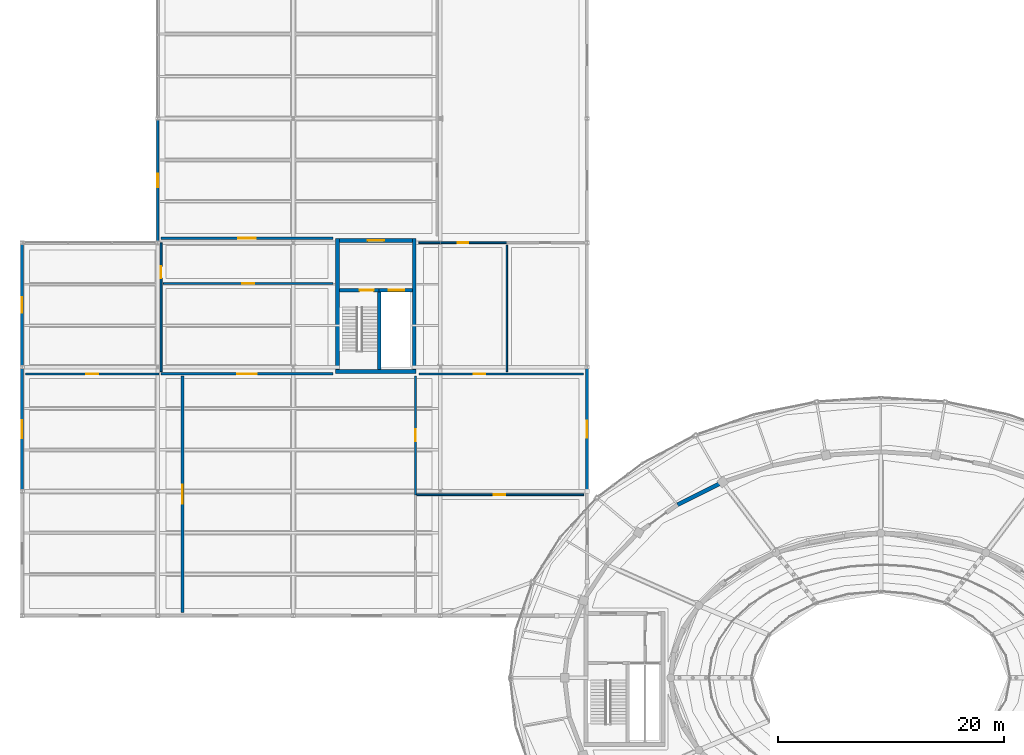
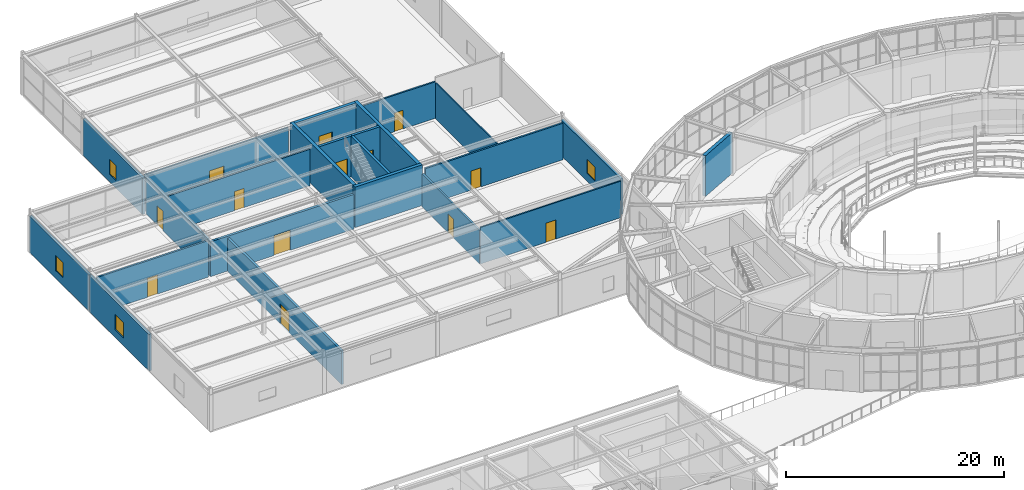
# One storey, part 91 of 108: 23 walls, 13 doors, 4 windows, 17 openings.
"""IFC4 building model written with IfcOpenShell, lengths in metres."""

from ifc_helpers import new_model, si_unit, direction, frame, frame_2d, origin, place, context, subcontext, project, spatial, rectangle, extrude, material, layer, layer_set, type_object, element, fill, save


model = new_model("IFC4")

# Units and contexts
model_context = context("Model", 3, precision=1e-05, world=origin(), true_north=direction((0.0, 1.0)))
body_context = subcontext(model_context, "Body", "Model", "MODEL_VIEW")
ifc_project = project(units=[si_unit("LENGTHUNIT", "METRE"), si_unit("AREAUNIT", "SQUARE_METRE"), si_unit("VOLUMEUNIT", "CUBIC_METRE"), si_unit("PLANEANGLEUNIT", "RADIAN"), si_unit("MASSUNIT", "GRAM", prefix="KILO")], contexts=[model_context])

# Site, building, storey
site_placement = place(None, origin())
site = spatial("IfcSite", under=ifc_project, at=site_placement, CompositionType="ELEMENT")
building_placement = place(site_placement, origin())
building = spatial("IfcBuilding", under=site, at=building_placement, Name="Tarnveldt Headland Concert Hall", CompositionType="ELEMENT")
storey_placement = place(building_placement, frame((0.0, 0.0, 9.60009765625)))
storey = spatial("IfcBuildingStorey", under=building, at=storey_placement, Name="L02", CompositionType="ELEMENT", Elevation=9.60009765625)

# Walls
ifc_material_1 = material(Name="Concrete C40/50", Category="concrete")
ifc_layer_1 = layer(ifc_material_1, 0.35009765625, Name="Concrete C40/50", Category="concrete")
ifc_layer_set_1 = layer_set([ifc_layer_1], Name="Concrete C40/50")
wall_type_1 = type_object("IfcWallType", Name="WL-CR350", PredefinedType="SHEAR", material=ifc_layer_set_1)
wall_1_placement = place(storey_placement, frame((69.5, 71.820556640625, 0.0), z_axis=(0.0, 0.0, 1.0), x_axis=(-0.894361644392, -0.447344664705, 0.0)))
element("IfcWall", 1, at=wall_1_placement, inside=storey, type_object=wall_type_1, Name="Symphony drum shear wall L02-13", PredefinedType="SHEAR", context=body_context, shape_type="SweptSolid", body=[
    extrude(rectangle(XDim=4.47021484375, YDim=0.35009765625, at=frame_2d((2.235107421875, 0.0))), origin(), (0.0, 0.0, 1.0), 4.5498046875),
])
wall_2_placement = place(storey_placement, frame((35.22509765625, 81.60009765625, 0.0), z_axis=(0.0, 0.0, 1.0), x_axis=(1.0, 0.0, 0.0)))
element("IfcWall", 2, at=wall_2_placement, inside=storey, type_object=wall_type_1, Name="Core C6 south shear wall L02", PredefinedType="SHEAR", context=body_context, shape_type="SweptSolid", body=[
    extrude(rectangle(XDim=7.14990234375, YDim=0.35009765625, at=frame_2d((3.574951171875, 0.0))), origin(), (0.0, 0.0, 1.0), 4.5498046875),
])

# Wall, opening, door
wall_3_placement = place(storey_placement, frame((35.574951171875, 93.199951171875, 0.0), z_axis=(0.0, 0.0, 1.0), x_axis=(1.0, 0.0, 0.0)))
wall_3 = element("IfcWall", 3, at=wall_3_placement, inside=storey, type_object=wall_type_1, Name="Core C6 north shear wall L02", PredefinedType="SHEAR", context=body_context, shape_type="SweptSolid", body=[
    extrude(rectangle(XDim=6.449951171875, YDim=0.35009765625, at=frame_2d((3.22509765625, 0.0))), origin(), (0.0, 0.0, 1.0), 4.5498046875),
])
opening_1_placement = place(wall_3_placement, frame((2.5, 0.0, 0.0)))
opening_1 = element("IfcOpeningElement", 4, at=opening_1_placement, cuts=wall_3, Name="Opening LBD-C6-L02", PredefinedType="OPENING", context=body_context, shape_type="SweptSolid", body=[
    extrude(rectangle(XDim=1.449951171875, YDim=2.199951171875, at=frame_2d((0.72509765625, 1.10009765625))), frame((0.0, 0.18505859375, 0.0), z_axis=(0.0, -1.0, 0.0), x_axis=(1.0, 0.0, 0.0)), (0.0, 0.0, 1.0), 0.3701171875),
])
ifc_material_2 = material(Name="Galvanised painted steel sheet", Category="steel")
door_type_1 = type_object("IfcDoorType", Name="DR-LB145", OperationType="NOTDEFINED", PredefinedType="DOOR", material=ifc_material_2)
door_1_placement = place(opening_1_placement, origin())
door_1 = element("IfcDoor", 5, at=door_1_placement, inside=storey, type_object=door_type_1, Name="Core C6 lobby entrance door L02", OperationType="SINGLE_SWING_LEFT", OverallHeight=2.199951171875, OverallWidth=1.449951171875, PredefinedType="DOOR", context=body_context, shape_type="SweptSolid", body=[
    extrude(rectangle(XDim=1.449951171875, YDim=2.199951171875, at=frame_2d((0.72509765625, 1.10009765625))), frame((0.0, 0.02490234375, 0.0), z_axis=(0.0, -1.0, 0.0), x_axis=(1.0, 0.0, 0.0)), (0.0, 0.0, 1.0), 0.050048828125),
])
fill(opening_1, door_1)

# Walls
for number, where, z_axis, x_axis, name in (
    (6, (35.39990234375, 81.77490234375, 0.0), (0.0, 0.0, 1.0), (0.0, 1.0, 0.0), "Core C6 west shear wall L02"),
    (7, (42.199951171875, 81.77490234375, 0.0), (0.0, 0.0, 1.0), (0.0, 1.0, 0.0), "Core C6 east shear wall L02"),
):
    element("IfcWall", number, at=place(storey_placement, frame(where, z_axis=z_axis, x_axis=x_axis)), inside=storey, type_object=wall_type_1, Name=name, PredefinedType="SHEAR", context=body_context, shape_type="SweptSolid", body=[
        extrude(rectangle(XDim=11.60009765625, YDim=0.35009765625, at=frame_2d((5.800048828125, 0.0))), origin(), (0.0, 0.0, 1.0), 4.5498046875),
    ])

# Wall, opening, window
ifc_material_3 = material(Name="Coral-toned precast concrete C40/50", Category="concrete")
ifc_layer_2 = layer(ifc_material_3, 0.25, Name="Coral-toned precast concrete C40/50", Category="concrete")
ifc_layer_set_2 = layer_set([ifc_layer_2], Name="Coral-toned precast concrete C40/50")
wall_type_2 = type_object("IfcWallType", Name="WL-EX250", PredefinedType="SOLIDWALL", material=ifc_layer_set_2)
wall_4_placement = place(storey_placement, frame((57.5, 81.97998046875, 0.0), z_axis=(0.0, 0.0, 1.0), x_axis=(0.0, -1.0, 0.0)))
wall_4 = element("IfcWall", 8, at=wall_4_placement, inside=storey, type_object=wall_type_2, Name="External precast wall L02-301", PredefinedType="SOLIDWALL", context=body_context, shape_type="SweptSolid", body=[
    extrude(rectangle(XDim=10.9599609375, YDim=0.25, at=frame_2d((5.47998046875, 0.0))), origin(), (0.0, 0.0, 1.0), 4.02783203125),
])
opening_2_placement = place(wall_4_placement, frame((4.72998046875, 0.0, 0.89990234375)))
opening_2 = element("IfcOpeningElement", 9, at=opening_2_placement, cuts=wall_4, Name="Opening W-R136", PredefinedType="OPENING", context=body_context, shape_type="SweptSolid", body=[
    extrude(rectangle(XDim=1.5, YDim=1.550048828125, at=frame_2d((0.75, 0.77490234375))), frame((0.0, 0.135009765625, 0.0), z_axis=(0.0, -1.0, 0.0), x_axis=(1.0, 0.0, 0.0)), (0.0, 0.0, 1.0), 0.27001953125),
])
ifc_material_4 = material(Name="Acoustic laminated low-iron double glazing", Category="glass")
window_type_1 = type_object("IfcWindowType", Name="WN-03", PartitioningType="SINGLE_PANEL", PredefinedType="WINDOW", material=ifc_material_4)
window_1_placement = place(opening_2_placement, origin())
window_1 = element("IfcWindow", 10, at=window_1_placement, inside=storey, type_object=window_type_1, Name="Rehearsal wing acoustic window L02-E2", OverallHeight=1.550048828125, OverallWidth=1.5, PartitioningType="SINGLE_PANEL", PredefinedType="WINDOW", context=body_context, shape_type="SweptSolid", body=[
    extrude(rectangle(XDim=1.5, YDim=1.550048828125, at=frame_2d((0.75, 0.77490234375))), frame((0.0, 0.030029296875, 0.0), z_axis=(0.0, -1.0, 0.0), x_axis=(1.0, 0.0, 0.0)), (0.0, 0.0, 1.0), 0.06005859375),
])
fill(opening_2, window_1)

wall_5_placement = place(storey_placement, frame((19.5, 93.02001953125, 0.0), z_axis=(0.0, 0.0, 1.0), x_axis=(0.0, 1.0, 0.0)))
wall_5 = element("IfcWall", 11, at=wall_5_placement, inside=storey, type_object=wall_type_2, Name="External precast wall L02-308", PredefinedType="SOLIDWALL", context=body_context, shape_type="SweptSolid", body=[
    extrude(rectangle(XDim=10.9599609375, YDim=0.25, at=frame_2d((5.47998046875, 0.0))), origin(), (0.0, 0.0, 1.0), 4.087890625),
])
opening_3_placement = place(wall_5_placement, frame((4.8798828125, 0.0, 0.85009765625)))
opening_3 = element("IfcOpeningElement", 12, at=opening_3_placement, cuts=wall_5, Name="Opening W-R142", PredefinedType="OPENING", context=body_context, shape_type="SweptSolid", body=[
    extrude(rectangle(XDim=1.199951171875, YDim=1.699951171875, at=frame_2d((0.60009765625, 0.85009765625))), frame((0.0, 0.135009765625, 0.0), z_axis=(0.0, -1.0, 0.0), x_axis=(1.0, 0.0, 0.0)), (0.0, 0.0, 1.0), 0.27001953125),
])
window_type_2 = type_object("IfcWindowType", Name="WN-09", PartitioningType="SINGLE_PANEL", PredefinedType="WINDOW", material=ifc_material_4)
window_2_placement = place(opening_3_placement, origin())
window_2 = element("IfcWindow", 13, at=window_2_placement, inside=storey, type_object=window_type_2, Name="Rehearsal wing acoustic window L02-CW2", OverallHeight=1.699951171875, OverallWidth=1.199951171875, PartitioningType="SINGLE_PANEL", PredefinedType="WINDOW", context=body_context, shape_type="SweptSolid", body=[
    extrude(rectangle(XDim=1.199951171875, YDim=1.699951171875, at=frame_2d((0.60009765625, 0.85009765625))), frame((0.0, 0.030029296875, 0.0), z_axis=(0.0, -1.0, 0.0), x_axis=(1.0, 0.0, 0.0)), (0.0, 0.0, 1.0), 0.06005859375),
])
fill(opening_3, window_2)

wall_6_placement = place(storey_placement, frame((7.5, 82.02001953125, 0.0), z_axis=(0.0, 0.0, 1.0), x_axis=(0.0, 1.0, 0.0)))
wall_6 = element("IfcWall", 14, at=wall_6_placement, inside=storey, type_object=wall_type_2, Name="External precast wall L02-309", PredefinedType="SOLIDWALL", context=body_context, shape_type="SweptSolid", body=[
    extrude(rectangle(XDim=10.9599609375, YDim=0.25, at=frame_2d((5.47998046875, 0.0))), origin(), (0.0, 0.0, 1.0), 4.087890625),
])
opening_4_placement = place(wall_6_placement, frame((4.780029296875, 0.0, 0.85009765625)))
opening_4 = element("IfcOpeningElement", 15, at=opening_4_placement, cuts=wall_6, Name="Opening W-R143", PredefinedType="OPENING", context=body_context, shape_type="SweptSolid", body=[
    extrude(rectangle(XDim=1.39990234375, YDim=1.699951171875, at=frame_2d((0.699951171875, 0.85009765625))), frame((0.0, 0.135009765625, 0.0), z_axis=(0.0, -1.0, 0.0), x_axis=(1.0, 0.0, 0.0)), (0.0, 0.0, 1.0), 0.27001953125),
])
window_type_3 = type_object("IfcWindowType", Name="WN-10", PartitioningType="SINGLE_PANEL", PredefinedType="WINDOW", material=ifc_material_4)
window_3_placement = place(opening_4_placement, origin())
window_3 = element("IfcWindow", 16, at=window_3_placement, inside=storey, type_object=window_type_3, Name="Rehearsal wing acoustic window L02-W1", OverallHeight=1.699951171875, OverallWidth=1.39990234375, PartitioningType="SINGLE_PANEL", PredefinedType="WINDOW", context=body_context, shape_type="SweptSolid", body=[
    extrude(rectangle(XDim=1.39990234375, YDim=1.699951171875, at=frame_2d((0.699951171875, 0.85009765625))), frame((0.0, 0.030029296875, 0.0), z_axis=(0.0, -1.0, 0.0), x_axis=(1.0, 0.0, 0.0)), (0.0, 0.0, 1.0), 0.06005859375),
])
fill(opening_4, window_3)

wall_7_placement = place(storey_placement, frame((7.5, 71.02001953125, 0.0), z_axis=(0.0, 0.0, 1.0), x_axis=(0.0, 1.0, 0.0)))
wall_7 = element("IfcWall", 17, at=wall_7_placement, inside=storey, type_object=wall_type_2, Name="External precast wall L02-310", PredefinedType="SOLIDWALL", context=body_context, shape_type="SweptSolid", body=[
    extrude(rectangle(XDim=10.9599609375, YDim=0.25, at=frame_2d((5.47998046875, 0.0))), origin(), (0.0, 0.0, 1.0), 4.087890625),
])
opening_5_placement = place(wall_7_placement, frame((4.679931640625, 0.0, 0.85009765625)))
opening_5 = element("IfcOpeningElement", 18, at=opening_5_placement, cuts=wall_7, Name="Opening W-R144", PredefinedType="OPENING", context=body_context, shape_type="SweptSolid", body=[
    extrude(rectangle(XDim=1.60009765625, YDim=1.699951171875, at=frame_2d((0.800048828125, 0.85009765625))), frame((0.0, 0.135009765625, 0.0), z_axis=(0.0, -1.0, 0.0), x_axis=(1.0, 0.0, 0.0)), (0.0, 0.0, 1.0), 0.27001953125),
])
window_type_4 = type_object("IfcWindowType", Name="WN-11", PartitioningType="SINGLE_PANEL", PredefinedType="WINDOW", material=ifc_material_4)
window_4_placement = place(opening_5_placement, origin())
window_4 = element("IfcWindow", 19, at=window_4_placement, inside=storey, type_object=window_type_4, Name="Rehearsal wing acoustic window L02-W2", OverallHeight=1.699951171875, OverallWidth=1.60009765625, PartitioningType="SINGLE_PANEL", PredefinedType="WINDOW", context=body_context, shape_type="SweptSolid", body=[
    extrude(rectangle(XDim=1.60009765625, YDim=1.699951171875, at=frame_2d((0.800048828125, 0.85009765625))), frame((0.0, 0.030029296875, 0.0), z_axis=(0.0, -1.0, 0.0), x_axis=(1.0, 0.0, 0.0)), (0.0, 0.0, 1.0), 0.06005859375),
])
fill(opening_5, window_4)

# Wall
ifc_material_5 = material(Name="Acoustic multi-layer gypsum and mineral-wool partition", Category="gypsum")
ifc_layer_3 = layer(ifc_material_5, 0.1201171875, Name="Acoustic multi-layer gypsum and mineral-wool partition", Category="gypsum")
ifc_layer_set_3 = layer_set([ifc_layer_3], Name="Acoustic multi-layer gypsum and mineral-wool partition")
wall_type_3 = type_object("IfcWallType", Name="WL-PT120", PredefinedType="PARTITIONING", material=ifc_layer_set_3)
wall_8_placement = place(storey_placement, frame((50.39990234375, 81.60009765625, 0.0), z_axis=(0.0, 0.0, 1.0), x_axis=(0.0, 1.0, 0.0)))
element("IfcWall", 20, at=wall_8_placement, inside=storey, type_object=wall_type_3, Name="Interior acoustic partition L02-98", PredefinedType="PARTITIONING", context=body_context, shape_type="SweptSolid", body=[
    extrude(rectangle(XDim=11.199951171875, YDim=0.1201171875, at=frame_2d((5.60009765625, 0.0))), origin(), (0.0, 0.0, 1.0), 4.02978515625),
])

# Wall, opening, door
ifc_layer_4 = layer(ifc_material_5, 0.14990234375, Name="Acoustic multi-layer gypsum and mineral-wool partition", Category="gypsum")
ifc_layer_set_4 = layer_set([ifc_layer_4], Name="Acoustic multi-layer gypsum and mineral-wool partition")
wall_type_4 = type_object("IfcWallType", Name="WL-PT150", PredefinedType="PARTITIONING", material=ifc_layer_set_4)
wall_9_placement = place(storey_placement, frame((42.300048828125, 70.699951171875, 0.0), z_axis=(0.0, 0.0, 1.0), x_axis=(1.0, 0.0, 0.0)))
wall_9 = element("IfcWall", 21, at=wall_9_placement, inside=storey, type_object=wall_type_4, Name="Interior acoustic partition L02-95", PredefinedType="PARTITIONING", context=body_context, shape_type="SweptSolid", body=[
    extrude(rectangle(XDim=14.89990234375, YDim=0.14990234375, at=frame_2d((7.449951171875, 0.0))), origin(), (0.0, 0.0, 1.0), 4.08984375),
])
opening_6_placement = place(wall_9_placement, frame((6.925048828125, 0.0, 0.0)))
opening_6 = element("IfcOpeningElement", 22, at=opening_6_placement, cuts=wall_9, Name="Opening D-L02-117", PredefinedType="OPENING", context=body_context, shape_type="SweptSolid", body=[
    extrude(rectangle(XDim=1.050048828125, YDim=2.14990234375, at=frame_2d((0.52490234375, 1.074951171875))), frame((0.0, 0.0849609375, 0.0), z_axis=(0.0, -1.0, 0.0), x_axis=(1.0, 0.0, 0.0)), (0.0, 0.0, 1.0), 0.169921875),
])
ifc_material_6 = material(Name="Treated East African mvule hardwood", Category="wood")
door_type_2 = type_object("IfcDoorType", Name="DR-RM105", OperationType="NOTDEFINED", PredefinedType="DOOR", material=ifc_material_6)
door_2_placement = place(opening_6_placement, origin())
door_2 = element("IfcDoor", 23, at=door_2_placement, inside=storey, type_object=door_type_2, Name="Interior room door L02-117", OperationType="SINGLE_SWING_LEFT", OverallHeight=2.14990234375, OverallWidth=1.050048828125, PredefinedType="DOOR", context=body_context, shape_type="SweptSolid", body=[
    extrude(rectangle(XDim=1.050048828125, YDim=2.14990234375, at=frame_2d((0.52490234375, 1.074951171875))), frame((0.0, 0.02490234375, 0.0), z_axis=(0.0, -1.0, 0.0), x_axis=(1.0, 0.0, 0.0)), (0.0, 0.0, 1.0), 0.050048828125),
])
fill(opening_6, door_2)

ifc_layer_5 = layer(ifc_material_5, 0.1650390625, Name="Acoustic multi-layer gypsum and mineral-wool partition", Category="gypsum")
ifc_layer_set_5 = layer_set([ifc_layer_5], Name="Acoustic multi-layer gypsum and mineral-wool partition")
wall_type_5 = type_object("IfcWallType", Name="WL-PT165", PredefinedType="PARTITIONING", material=ifc_layer_set_5)
wall_10_placement = place(storey_placement, frame((19.800048828125, 81.60009765625, 0.0), z_axis=(0.0, 0.0, 1.0), x_axis=(0.0, 1.0, 0.0)))
wall_10 = element("IfcWall", 24, at=wall_10_placement, inside=storey, type_object=wall_type_5, Name="Interior acoustic partition L02-90", PredefinedType="PARTITIONING", context=body_context, shape_type="SweptSolid", body=[
    extrude(rectangle(XDim=11.39990234375, YDim=0.1650390625, at=frame_2d((5.699951171875, 0.0))), origin(), (0.0, 0.0, 1.0), 4.08984375),
])
opening_7_placement = place(wall_10_placement, frame((8.256591796875, 0.0, 0.0)))
opening_7 = element("IfcOpeningElement", 25, at=opening_7_placement, cuts=wall_10, Name="Opening D-L02-112", PredefinedType="OPENING", context=body_context, shape_type="SweptSolid", body=[
    extrude(rectangle(XDim=1.050048828125, YDim=2.14990234375, at=frame_2d((0.52490234375, 1.074951171875))), frame((0.0, 0.092529296875, 0.0), z_axis=(0.0, -1.0, 0.0), x_axis=(1.0, 0.0, 0.0)), (0.0, 0.0, 1.0), 0.18505859375),
])
door_3_placement = place(opening_7_placement, origin())
door_3 = element("IfcDoor", 26, at=door_3_placement, inside=storey, type_object=door_type_2, Name="Interior room door L02-112", OperationType="SINGLE_SWING_RIGHT", OverallHeight=2.14990234375, OverallWidth=1.050048828125, PredefinedType="DOOR", context=body_context, shape_type="SweptSolid", body=[
    extrude(rectangle(XDim=1.050048828125, YDim=2.14990234375, at=frame_2d((0.52490234375, 1.074951171875))), frame((0.0, 0.02490234375, 0.0), z_axis=(0.0, -1.0, 0.0), x_axis=(1.0, 0.0, 0.0)), (0.0, 0.0, 1.0), 0.050048828125),
])
fill(opening_7, door_3)

wall_11_placement = place(storey_placement, frame((20.0, 89.39990234375, 0.0), z_axis=(0.0, 0.0, 1.0), x_axis=(1.0, 0.0, 0.0)))
wall_11 = element("IfcWall", 27, at=wall_11_placement, inside=storey, type_object=wall_type_5, Name="Interior acoustic partition L02-91", PredefinedType="PARTITIONING", context=body_context, shape_type="SweptSolid", body=[
    extrude(rectangle(XDim=15.0, YDim=0.1650390625, at=frame_2d((7.5, 0.0))), origin(), (0.0, 0.0, 1.0), 4.08984375),
])
opening_8_placement = place(wall_11_placement, frame((6.97509765625, 0.0, 0.0)))
opening_8 = element("IfcOpeningElement", 28, at=opening_8_placement, cuts=wall_11, Name="Opening D-L02-113", PredefinedType="OPENING", context=body_context, shape_type="SweptSolid", body=[
    extrude(rectangle(XDim=1.050048828125, YDim=2.14990234375, at=frame_2d((0.52490234375, 1.074951171875))), frame((0.0, 0.092529296875, 0.0), z_axis=(0.0, -1.0, 0.0), x_axis=(1.0, 0.0, 0.0)), (0.0, 0.0, 1.0), 0.18505859375),
])
door_4_placement = place(opening_8_placement, origin())
door_4 = element("IfcDoor", 29, at=door_4_placement, inside=storey, type_object=door_type_2, Name="Interior room door L02-113", OperationType="SINGLE_SWING_LEFT", OverallHeight=2.14990234375, OverallWidth=1.050048828125, PredefinedType="DOOR", context=body_context, shape_type="SweptSolid", body=[
    extrude(rectangle(XDim=1.050048828125, YDim=2.14990234375, at=frame_2d((0.52490234375, 1.074951171875))), frame((0.0, 0.02490234375, 0.0), z_axis=(0.0, -1.0, 0.0), x_axis=(1.0, 0.0, 0.0)), (0.0, 0.0, 1.0), 0.050048828125),
])
fill(opening_8, door_4)

wall_12_placement = place(storey_placement, frame((42.60009765625, 93.0, 0.0), z_axis=(0.0, 0.0, 1.0), x_axis=(1.0, 0.0, 0.0)))
wall_12 = element("IfcWall", 30, at=wall_12_placement, inside=storey, type_object=wall_type_5, Name="Interior acoustic partition L02-96", PredefinedType="PARTITIONING", context=body_context, shape_type="SweptSolid", body=[
    extrude(rectangle(XDim=7.7998046875, YDim=0.1650390625, at=frame_2d((3.89990234375, 0.0))), origin(), (0.0, 0.0, 1.0), 4.08984375),
])
opening_9_placement = place(wall_12_placement, frame((3.43994140625, 0.0, 0.0)))
opening_9 = element("IfcOpeningElement", 31, at=opening_9_placement, cuts=wall_12, Name="Opening D-L02-118", PredefinedType="OPENING", context=body_context, shape_type="SweptSolid", body=[
    extrude(rectangle(XDim=0.919921875, YDim=2.10009765625, at=frame_2d((0.4599609375, 1.050048828125))), frame((0.0, 0.092529296875, 0.0), z_axis=(0.0, -1.0, 0.0), x_axis=(1.0, 0.0, 0.0)), (0.0, 0.0, 1.0), 0.18505859375),
])
door_type_3 = type_object("IfcDoorType", Name="DR-WC092", OperationType="NOTDEFINED", PredefinedType="DOOR", material=ifc_material_6)
door_5_placement = place(opening_9_placement, origin())
door_5 = element("IfcDoor", 32, at=door_5_placement, inside=storey, type_object=door_type_3, Name="Interior room door L02-118", OperationType="SINGLE_SWING_RIGHT", OverallHeight=2.10009765625, OverallWidth=0.919921875, PredefinedType="DOOR", context=body_context, shape_type="SweptSolid", body=[
    extrude(rectangle(XDim=0.919921875, YDim=2.10009765625, at=frame_2d((0.4599609375, 1.050048828125))), frame((0.0, 0.02490234375, 0.0), z_axis=(0.0, -1.0, 0.0), x_axis=(1.0, 0.0, 0.0)), (0.0, 0.0, 1.0), 0.050048828125),
])
fill(opening_9, door_5)

ifc_layer_6 = layer(ifc_material_5, 0.18505859375, Name="Acoustic multi-layer gypsum and mineral-wool partition", Category="gypsum")
ifc_layer_set_6 = layer_set([ifc_layer_6], Name="Acoustic multi-layer gypsum and mineral-wool partition")
wall_type_6 = type_object("IfcWallType", Name="WL-PT185", PredefinedType="PARTITIONING", material=ifc_layer_set_6)
wall_13_placement = place(storey_placement, frame((7.800048828125, 81.39990234375, 0.0), z_axis=(0.0, 0.0, 1.0), x_axis=(1.0, 0.0, 0.0)))
wall_13 = element("IfcWall", 33, at=wall_13_placement, inside=storey, type_object=wall_type_6, Name="Interior acoustic partition L02-89", PredefinedType="PARTITIONING", context=body_context, shape_type="SweptSolid", body=[
    extrude(rectangle(XDim=11.800048828125, YDim=0.18505859375, at=frame_2d((5.89990234375, 0.0))), origin(), (0.0, 0.0, 1.0), 4.08984375),
])
opening_10_placement = place(wall_13_placement, frame((5.375, 0.0, 0.0)))
opening_10 = element("IfcOpeningElement", 34, at=opening_10_placement, cuts=wall_13, Name="Opening D-L02-111", PredefinedType="OPENING", context=body_context, shape_type="SweptSolid", body=[
    extrude(rectangle(XDim=1.050048828125, YDim=2.14990234375, at=frame_2d((0.52490234375, 1.074951171875))), frame((0.0, 0.1025390625, 0.0), z_axis=(0.0, -1.0, 0.0), x_axis=(1.0, 0.0, 0.0)), (0.0, 0.0, 1.0), 0.205078125),
])
door_6_placement = place(opening_10_placement, origin())
door_6 = element("IfcDoor", 35, at=door_6_placement, inside=storey, type_object=door_type_2, Name="Interior room door L02-111", OperationType="SINGLE_SWING_LEFT", OverallHeight=2.14990234375, OverallWidth=1.050048828125, PredefinedType="DOOR", context=body_context, shape_type="SweptSolid", body=[
    extrude(rectangle(XDim=1.050048828125, YDim=2.14990234375, at=frame_2d((0.52490234375, 1.074951171875))), frame((0.0, 0.02490234375, 0.0), z_axis=(0.0, -1.0, 0.0), x_axis=(1.0, 0.0, 0.0)), (0.0, 0.0, 1.0), 0.050048828125),
])
fill(opening_10, door_6)

wall_14_placement = place(storey_placement, frame((42.300048828125, 70.699951171875, 0.0), z_axis=(0.0, 0.0, 1.0), x_axis=(0.0, 1.0, 0.0)))
wall_14 = element("IfcWall", 36, at=wall_14_placement, inside=storey, type_object=wall_type_6, Name="Interior acoustic partition L02-94", PredefinedType="PARTITIONING", context=body_context, shape_type="SweptSolid", body=[
    extrude(rectangle(XDim=10.5, YDim=0.18505859375, at=frame_2d((5.25, 0.0))), origin(), (0.0, 0.0, 1.0), 3.739990234375),
])
opening_11_placement = place(wall_14_placement, frame((4.72509765625, 0.0, 0.0)))
opening_11 = element("IfcOpeningElement", 37, at=opening_11_placement, cuts=wall_14, Name="Opening D-L02-116", PredefinedType="OPENING", context=body_context, shape_type="SweptSolid", body=[
    extrude(rectangle(XDim=1.050048828125, YDim=2.14990234375, at=frame_2d((0.52490234375, 1.074951171875))), frame((0.0, 0.1025390625, 0.0), z_axis=(0.0, -1.0, 0.0), x_axis=(1.0, 0.0, 0.0)), (0.0, 0.0, 1.0), 0.205078125),
])
door_7_placement = place(opening_11_placement, origin())
door_7 = element("IfcDoor", 38, at=door_7_placement, inside=storey, type_object=door_type_2, Name="Interior room door L02-116", OperationType="SINGLE_SWING_RIGHT", OverallHeight=2.14990234375, OverallWidth=1.050048828125, PredefinedType="DOOR", context=body_context, shape_type="SweptSolid", body=[
    extrude(rectangle(XDim=1.050048828125, YDim=2.14990234375, at=frame_2d((0.52490234375, 1.074951171875))), frame((0.0, 0.02490234375, 0.0), z_axis=(0.0, -1.0, 0.0), x_axis=(1.0, 0.0, 0.0)), (0.0, 0.0, 1.0), 0.050048828125),
])
fill(opening_11, door_7)

wall_15_placement = place(storey_placement, frame((42.60009765625, 81.39990234375, 0.0), z_axis=(0.0, 0.0, 1.0), x_axis=(1.0, 0.0, 0.0)))
wall_15 = element("IfcWall", 39, at=wall_15_placement, inside=storey, type_object=wall_type_6, Name="Interior acoustic partition L02-99", PredefinedType="PARTITIONING", context=body_context, shape_type="SweptSolid", body=[
    extrude(rectangle(XDim=14.599853515625, YDim=0.18505859375, at=frame_2d((7.2998046875, 0.0))), origin(), (0.0, 0.0, 1.0), 4.08984375),
])
opening_12_placement = place(wall_15_placement, frame((4.8505859375, 0.0, 0.0)))
opening_12 = element("IfcOpeningElement", 40, at=opening_12_placement, cuts=wall_15, Name="Opening D-L02-120", PredefinedType="OPENING", context=body_context, shape_type="SweptSolid", body=[
    extrude(rectangle(XDim=1.050048828125, YDim=2.14990234375, at=frame_2d((0.52490234375, 1.074951171875))), frame((0.0, 0.1025390625, 0.0), z_axis=(0.0, -1.0, 0.0), x_axis=(1.0, 0.0, 0.0)), (0.0, 0.0, 1.0), 0.205078125),
])
door_8_placement = place(opening_12_placement, origin())
door_8 = element("IfcDoor", 41, at=door_8_placement, inside=storey, type_object=door_type_2, Name="Interior room door L02-120", OperationType="SINGLE_SWING_RIGHT", OverallHeight=2.14990234375, OverallWidth=1.050048828125, PredefinedType="DOOR", context=body_context, shape_type="SweptSolid", body=[
    extrude(rectangle(XDim=1.050048828125, YDim=2.14990234375, at=frame_2d((0.52490234375, 1.074951171875))), frame((0.0, 0.02490234375, 0.0), z_axis=(0.0, -1.0, 0.0), x_axis=(1.0, 0.0, 0.0)), (0.0, 0.0, 1.0), 0.050048828125),
])
fill(opening_12, door_8)

ifc_layer_7 = layer(ifc_material_5, 0.199951171875, Name="Acoustic multi-layer gypsum and mineral-wool partition", Category="gypsum")
ifc_layer_set_7 = layer_set([ifc_layer_7], Name="Acoustic multi-layer gypsum and mineral-wool partition")
wall_type_7 = type_object("IfcWallType", Name="WL-PT200", PredefinedType="PARTITIONING", material=ifc_layer_set_7)
wall_16_placement = place(storey_placement, frame((19.800048828125, 93.39990234375, 0.0), z_axis=(0.0, 0.0, 1.0), x_axis=(1.0, 0.0, 0.0)))
wall_16 = element("IfcWall", 42, at=wall_16_placement, inside=storey, type_object=wall_type_7, Name="Interior acoustic partition L02-101", PredefinedType="PARTITIONING", context=body_context, shape_type="SweptSolid", body=[
    extrude(rectangle(XDim=15.199951171875, YDim=0.199951171875, at=frame_2d((7.60009765625, 0.0))), origin(), (0.0, 0.0, 1.0), 4.08984375),
])
opening_13_placement = place(wall_16_placement, frame((6.824951171875, 0.0, 0.0)))
opening_13 = element("IfcOpeningElement", 43, at=opening_13_placement, cuts=wall_16, Name="Opening D-L02-122", PredefinedType="OPENING", context=body_context, shape_type="SweptSolid", body=[
    extrude(rectangle(XDim=1.550048828125, YDim=2.179931640625, at=frame_2d((0.77490234375, 1.08984375))), frame((0.0, 0.10986328125, 0.0), z_axis=(0.0, -1.0, 0.0), x_axis=(1.0, 0.0, 0.0)), (0.0, 0.0, 1.0), 0.219970703125),
])
door_type_4 = type_object("IfcDoorType", Name="DR-AC155", OperationType="NOTDEFINED", PredefinedType="DOOR", material=ifc_material_6)
door_9_placement = place(opening_13_placement, origin())
door_9 = element("IfcDoor", 44, at=door_9_placement, inside=storey, type_object=door_type_4, Name="Interior room door L02-122", OperationType="SINGLE_SWING_RIGHT", OverallHeight=2.179931640625, OverallWidth=1.550048828125, PredefinedType="DOOR", context=body_context, shape_type="SweptSolid", body=[
    extrude(rectangle(XDim=1.550048828125, YDim=2.179931640625, at=frame_2d((0.77490234375, 1.08984375))), frame((0.0, 0.02490234375, 0.0), z_axis=(0.0, -1.0, 0.0), x_axis=(1.0, 0.0, 0.0)), (0.0, 0.0, 1.0), 0.050048828125),
])
fill(opening_13, door_9)

ifc_layer_8 = layer(ifc_material_5, 0.239990234375, Name="Acoustic multi-layer gypsum and mineral-wool partition", Category="gypsum")
ifc_layer_set_8 = layer_set([ifc_layer_8], Name="Acoustic multi-layer gypsum and mineral-wool partition")
wall_type_8 = type_object("IfcWallType", Name="WL-PT240", PredefinedType="PARTITIONING", material=ifc_layer_set_8)
wall_17_placement = place(storey_placement, frame((19.800048828125, 81.39990234375, 0.0), z_axis=(0.0, 0.0, 1.0), x_axis=(1.0, 0.0, 0.0)))
wall_17 = element("IfcWall", 45, at=wall_17_placement, inside=storey, type_object=wall_type_8, Name="Interior acoustic partition L02-88", PredefinedType="PARTITIONING", context=body_context, shape_type="SweptSolid", body=[
    extrude(rectangle(XDim=15.199951171875, YDim=0.239990234375, at=frame_2d((7.60009765625, 0.0))), origin(), (0.0, 0.0, 1.0), 3.889892578125),
])
opening_14_placement = place(wall_17_placement, frame((6.72509765625, 0.0, 0.0)))
opening_14 = element("IfcOpeningElement", 46, at=opening_14_placement, cuts=wall_17, Name="Opening D-L02-110", PredefinedType="OPENING", context=body_context, shape_type="SweptSolid", body=[
    extrude(rectangle(XDim=1.75, YDim=2.25, at=frame_2d((0.875, 1.125))), frame((0.0, 0.1298828125, 0.0), z_axis=(0.0, -1.0, 0.0), x_axis=(1.0, 0.0, 0.0)), (0.0, 0.0, 1.0), 0.260009765625),
])
door_type_5 = type_object("IfcDoorType", Name="DR-AC175", OperationType="NOTDEFINED", PredefinedType="DOOR", material=ifc_material_6)
door_10_placement = place(opening_14_placement, origin())
door_10 = element("IfcDoor", 47, at=door_10_placement, inside=storey, type_object=door_type_5, Name="Interior room door L02-110", OperationType="SINGLE_SWING_RIGHT", OverallHeight=2.25, OverallWidth=1.75, PredefinedType="DOOR", context=body_context, shape_type="SweptSolid", body=[
    extrude(rectangle(XDim=1.75, YDim=2.25, at=frame_2d((0.875, 1.125))), frame((0.0, 0.02490234375, 0.0), z_axis=(0.0, -1.0, 0.0), x_axis=(1.0, 0.0, 0.0)), (0.0, 0.0, 1.0), 0.050048828125),
])
fill(opening_14, door_10)

wall_18_placement = place(storey_placement, frame((21.699951171875, 60.300048828125, 0.0), z_axis=(0.0, 0.0, 1.0), x_axis=(0.0, 1.0, 0.0)))
wall_18 = element("IfcWall", 48, at=wall_18_placement, inside=storey, type_object=wall_type_8, Name="Interior acoustic partition L02-92", PredefinedType="PARTITIONING", context=body_context, shape_type="SweptSolid", body=[
    extrude(rectangle(XDim=20.89990234375, YDim=0.239990234375, at=frame_2d((10.449951171875, 0.0))), origin(), (0.0, 0.0, 1.0), 3.739990234375),
])
opening_15_placement = place(wall_18_placement, frame((9.625, 0.0, 0.0)))
opening_15 = element("IfcOpeningElement", 49, at=opening_15_placement, cuts=wall_18, Name="Opening D-L02-114", PredefinedType="OPENING", context=body_context, shape_type="SweptSolid", body=[
    extrude(rectangle(XDim=1.64990234375, YDim=2.199951171875, at=frame_2d((0.824951171875, 1.10009765625))), frame((0.0, 0.1298828125, 0.0), z_axis=(0.0, -1.0, 0.0), x_axis=(1.0, 0.0, 0.0)), (0.0, 0.0, 1.0), 0.260009765625),
])
door_type_6 = type_object("IfcDoorType", Name="DR-AC165", OperationType="NOTDEFINED", PredefinedType="DOOR", material=ifc_material_6)
door_11_placement = place(opening_15_placement, origin())
door_11 = element("IfcDoor", 50, at=door_11_placement, inside=storey, type_object=door_type_6, Name="Interior room door L02-114", OperationType="SINGLE_SWING_RIGHT", OverallHeight=2.199951171875, OverallWidth=1.64990234375, PredefinedType="DOOR", context=body_context, shape_type="SweptSolid", body=[
    extrude(rectangle(XDim=1.64990234375, YDim=2.199951171875, at=frame_2d((0.824951171875, 1.10009765625))), frame((0.0, 0.02490234375, 0.0), z_axis=(0.0, -1.0, 0.0), x_axis=(1.0, 0.0, 0.0)), (0.0, 0.0, 1.0), 0.050048828125),
])
fill(opening_15, door_11)

# Wall
ifc_layer_9 = layer(ifc_material_1, 0.27490234375, Name="Concrete C40/50", Category="concrete")
ifc_layer_set_9 = layer_set([ifc_layer_9], Name="Concrete C40/50")
wall_type_9 = type_object("IfcWallType", Name="WL-SH275", PredefinedType="SHEAR", material=ifc_layer_set_9)
wall_19_placement = place(storey_placement, frame((39.10009765625, 81.77490234375, 0.0), z_axis=(0.0, 0.0, 1.0), x_axis=(0.0, 1.0, 0.0)))
element("IfcWall", 51, at=wall_19_placement, inside=storey, type_object=wall_type_9, Name="Core C6 shaft divider wall L02", PredefinedType="SHEAR", context=body_context, shape_type="SweptSolid", body=[
    extrude(rectangle(XDim=6.8876953125, YDim=0.27490234375, at=frame_2d((3.44384765625, 0.0))), origin(), (0.0, 0.0, 1.0), 4.5498046875),
])

# Wall, opening, door
wall_20_placement = place(storey_placement, frame((35.574951171875, 88.800048828125, 0.0), z_axis=(0.0, 0.0, 1.0), x_axis=(1.0, 0.0, 0.0)))
wall_20 = element("IfcWall", 52, at=wall_20_placement, inside=storey, type_object=wall_type_9, Name="Core C6 stair enclosure wall L02", PredefinedType="SHEAR", context=body_context, shape_type="SweptSolid", body=[
    extrude(rectangle(XDim=3.525146484375, YDim=0.27490234375, at=frame_2d((1.7626953125, 0.0))), origin(), (0.0, 0.0, 1.0), 4.5498046875),
])
opening_16_placement = place(wall_20_placement, frame((1.784912109375, 0.0, 0.0)))
opening_16 = element("IfcOpeningElement", 53, at=opening_16_placement, cuts=wall_20, Name="Opening SD-C6-L02", PredefinedType="OPENING", context=body_context, shape_type="SweptSolid", body=[
    extrude(rectangle(XDim=1.25, YDim=2.14990234375, at=frame_2d((0.625, 1.074951171875))), frame((0.0, 0.1474609375, 0.0), z_axis=(0.0, -1.0, 0.0), x_axis=(1.0, 0.0, 0.0)), (0.0, 0.0, 1.0), 0.294921875),
])
door_type_7 = type_object("IfcDoorType", Name="DR-ST125", OperationType="NOTDEFINED", PredefinedType="DOOR", material=ifc_material_2)
door_12_placement = place(opening_16_placement, origin())
door_12 = element("IfcDoor", 54, at=door_12_placement, inside=storey, type_object=door_type_7, Name="Core C6 stair fire door L02", OperationType="SINGLE_SWING_RIGHT", OverallHeight=2.14990234375, OverallWidth=1.25, PredefinedType="DOOR", context=body_context, shape_type="SweptSolid", body=[
    extrude(rectangle(XDim=1.25, YDim=2.14990234375, at=frame_2d((0.625, 1.074951171875))), frame((0.0, 0.02490234375, 0.0), z_axis=(0.0, -1.0, 0.0), x_axis=(1.0, 0.0, 0.0)), (0.0, 0.0, 1.0), 0.050048828125),
])
fill(opening_16, door_12)

wall_21_placement = place(storey_placement, frame((39.10009765625, 88.800048828125, 0.0), z_axis=(0.0, 0.0, 1.0), x_axis=(1.0, 0.0, 0.0)))
wall_21 = element("IfcWall", 55, at=wall_21_placement, inside=storey, type_object=wall_type_9, Name="Core C6 lift shaft front wall L02", PredefinedType="SHEAR", context=body_context, shape_type="SweptSolid", body=[
    extrude(rectangle(XDim=2.9248046875, YDim=0.27490234375, at=frame_2d((1.46240234375, 0.0))), origin(), (0.0, 0.0, 1.0), 4.5498046875),
])
opening_17_placement = place(wall_21_placement, frame((0.83251953125, 0.0, 0.0)))
opening_17 = element("IfcOpeningElement", 56, at=opening_17_placement, cuts=wall_21, Name="Opening LD-LG-01-L02", PredefinedType="OPENING", context=body_context, shape_type="SweptSolid", body=[
    extrude(rectangle(XDim=1.39990234375, YDim=2.199951171875, at=frame_2d((0.699951171875, 1.10009765625))), frame((0.0, 0.1474609375, 0.0), z_axis=(0.0, -1.0, 0.0), x_axis=(1.0, 0.0, 0.0)), (0.0, 0.0, 1.0), 0.294921875),
])
door_type_8 = type_object("IfcDoorType", Name="LD-140", OperationType="NOTDEFINED", PredefinedType="DOOR", material=ifc_material_2)
door_13_placement = place(opening_17_placement, origin())
door_13 = element("IfcDoor", 57, at=door_13_placement, inside=storey, type_object=door_type_8, Name="Lift LG-01 sliding landing door L02", OperationType="DOUBLE_DOOR_SLIDING", OverallHeight=2.199951171875, OverallWidth=1.39990234375, PredefinedType="DOOR", context=body_context, shape_type="SweptSolid", body=[
    extrude(rectangle(XDim=1.39990234375, YDim=2.199951171875, at=frame_2d((0.699951171875, 1.10009765625))), frame((0.0, 0.02490234375, 0.0), z_axis=(0.0, -1.0, 0.0), x_axis=(1.0, 0.0, 0.0)), (0.0, 0.0, 1.0), 0.050048828125),
])
fill(opening_17, door_13)

save(model, "model.ifc")
